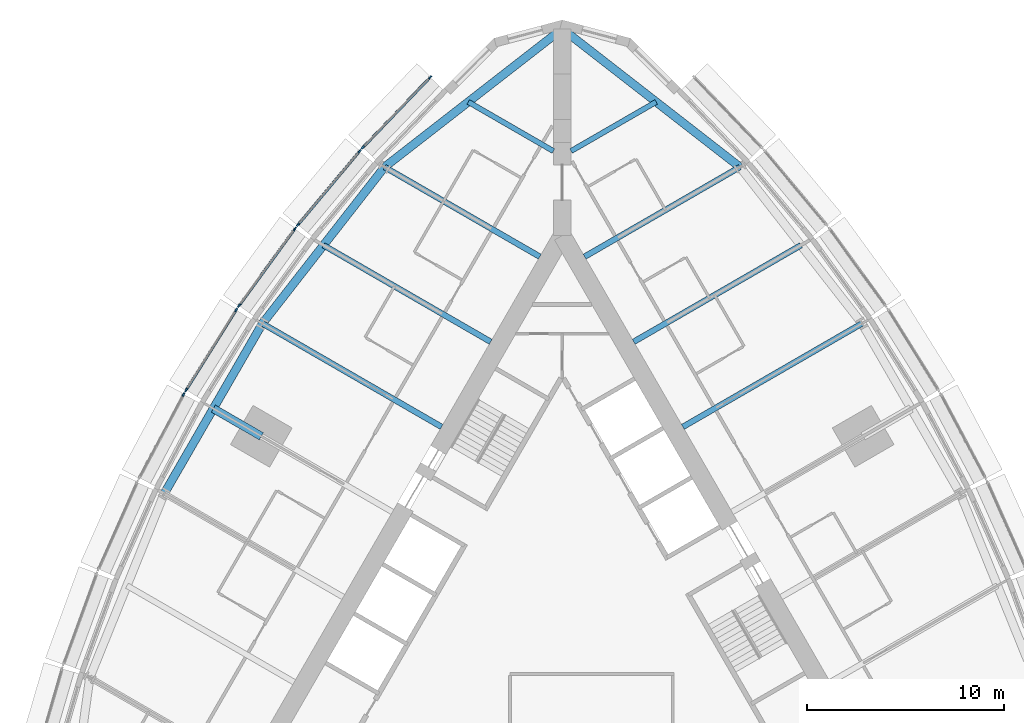
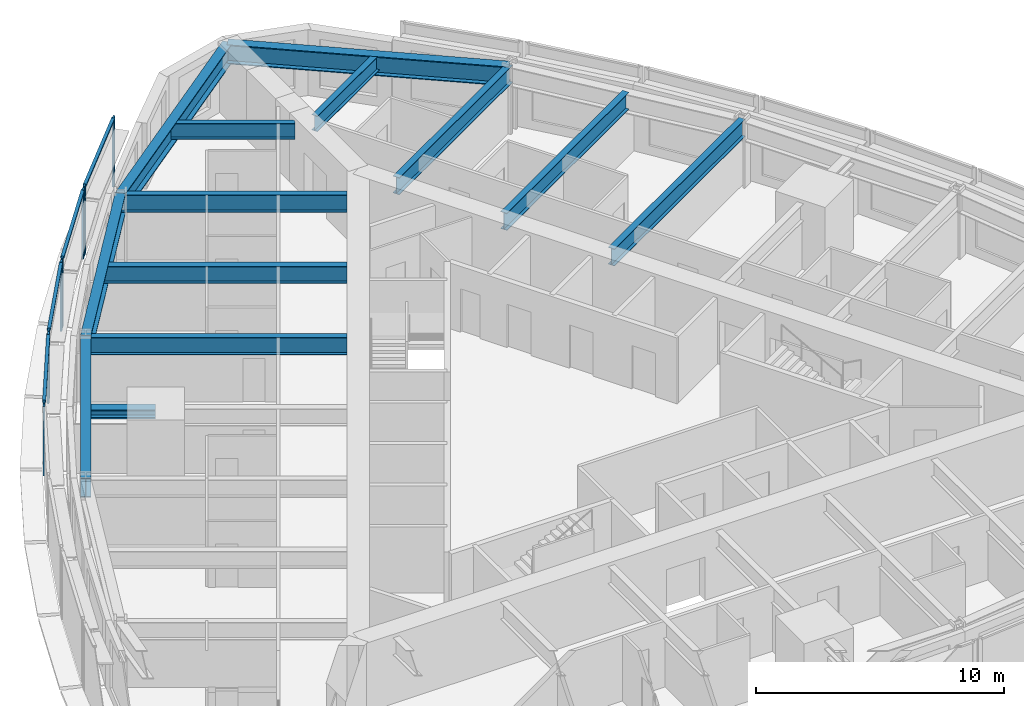
# One storey, part 4 of 14: 13 beams, 13 members, 5 elements without a shape of their own.
"""IFC4 building model written with IfcOpenShell, lengths in metres."""

from ifc_helpers import new_model, si_unit, direction, frame, origin, origin_2d, place, context, subcontext, project, spatial, rectangle, i_section, extrude, material, material_profile, profile_set, type_object, element, aggregate, save


model = new_model("IFC4")

# Units and contexts
model_context = context("Model", 3, precision=1e-05, world=origin(), true_north=direction((0.0, 1.0)))
body_context = subcontext(model_context, "Body", "Model", "MODEL_VIEW")
ifc_project = project(units=[si_unit("LENGTHUNIT", "METRE"), si_unit("AREAUNIT", "SQUARE_METRE"), si_unit("VOLUMEUNIT", "CUBIC_METRE"), si_unit("PLANEANGLEUNIT", "RADIAN"), si_unit("MASSUNIT", "GRAM", prefix="KILO")], contexts=[model_context])

# Site, building, storey
site_placement = place(None, origin())
site = spatial("IfcSite", under=ifc_project, at=site_placement, CompositionType="ELEMENT")
building_placement = place(site_placement, origin())
building = spatial("IfcBuilding", under=site, at=building_placement, Name="Trikona Tower", CompositionType="ELEMENT")
storey_placement = place(building_placement, frame((0.0, 0.0, 145.300048828125)))
storey = spatial("IfcBuildingStorey", under=building, at=storey_placement, Name="L38", CompositionType="ELEMENT", Elevation=145.300048828125)

# Curtain wall, members
ifc_material_1 = material(Name="Aluminium curtain wall system", Category="aluminium")
curtain_wall_type = type_object("IfcCurtainWallType", Name="Curtain wall DS2", PredefinedType="NOTDEFINED", material=ifc_material_1)
curtain_wall_1_placement = place(storey_placement, origin())
curtain_wall_1 = element("IfcCurtainWall", 1, at=curtain_wall_1_placement, inside=storey, type_object=curtain_wall_type, Name="Curtain wall DS2 L38", PredefinedType="NOTDEFINED")
ifc_material_2 = material(Name="Aluminium mullion, pale anodised", Category="aluminium")
ifc_material_profile_1 = material_profile(ifc_material_2, rectangle(XDim=0.080078125, YDim=0.199951171875, at=origin_2d()), Name="MUL-DS2")
ifc_profile_set_1 = profile_set([ifc_material_profile_1], Name="Aluminium mullion, pale anodised")
member_type_1 = type_object("IfcMemberType", Name="Mullion DS2 80x200", PredefinedType="MULLION", material=ifc_profile_set_1)
member_1_placement = place(storey_placement, frame((-6.718994140625, 27.1083984375, 0.0), z_axis=(0.0, 0.0, 1.0), x_axis=(0.722158330767, -0.691727797117, 0.0)))
member_1 = element("IfcMember", 2, at=member_1_placement, type_object=member_type_1, Name="CW-DS2 mullion 1", PredefinedType="MULLION", context=body_context, shape_type="SweptSolid", body=[
    extrude(rectangle(XDim=0.080078125, YDim=0.199951171875, at=origin_2d()), origin(), (0.0, 0.0, 1.0), 3.39990234375),
])
member_2_placement = place(storey_placement, frame((-10.1416015625, 23.535400390625, 0.0), z_axis=(0.0, 0.0, 1.0), x_axis=(0.722158330767, -0.691727797117, 0.0)))
member_2 = element("IfcMember", 3, at=member_2_placement, type_object=member_type_1, Name="CW-DS2 mullion 2", PredefinedType="MULLION", context=body_context, shape_type="SweptSolid", body=[
    extrude(rectangle(XDim=0.080078125, YDim=0.199951171875, at=origin_2d()), origin(), (0.0, 0.0, 1.0), 3.39990234375),
])

curtain_wall_2_placement = place(storey_placement, origin())
curtain_wall_2 = element("IfcCurtainWall", 4, at=curtain_wall_2_placement, inside=storey, type_object=curtain_wall_type, Name="Curtain wall DS2 L38", PredefinedType="NOTDEFINED")
member_3_placement = place(storey_placement, frame((-10.315185546875, 23.34130859375, 0.0), z_axis=(0.0, 0.0, 1.0), x_axis=(0.766866678271, -0.641806433248, 0.0)))
member_3 = element("IfcMember", 5, at=member_3_placement, type_object=member_type_1, Name="CW-DS2 mullion 1", PredefinedType="MULLION", context=body_context, shape_type="SweptSolid", body=[
    extrude(rectangle(XDim=0.080078125, YDim=0.199951171875, at=origin_2d()), origin(), (0.0, 0.0, 1.0), 3.39990234375),
])
member_4_placement = place(storey_placement, frame((-13.44482421875, 19.602294921875, 0.0), z_axis=(0.0, 0.0, 1.0), x_axis=(0.766866678271, -0.641806433248, 0.0)))
member_4 = element("IfcMember", 6, at=member_4_placement, type_object=member_type_1, Name="CW-DS2 mullion 2", PredefinedType="MULLION", context=body_context, shape_type="SweptSolid", body=[
    extrude(rectangle(XDim=0.080078125, YDim=0.199951171875, at=origin_2d()), origin(), (0.0, 0.0, 1.0), 3.39990234375),
])

curtain_wall_3_placement = place(storey_placement, origin())
curtain_wall_3 = element("IfcCurtainWall", 7, at=curtain_wall_3_placement, inside=storey, type_object=curtain_wall_type, Name="Curtain wall DS2 L38", PredefinedType="NOTDEFINED")
member_5_placement = place(storey_placement, frame((-13.605712890625, 19.39599609375, 0.0), z_axis=(0.0, 0.0, 1.0), x_axis=(0.80908576332, -0.587690588313, 0.0)))
member_5 = element("IfcMember", 8, at=member_5_placement, type_object=member_type_1, Name="CW-DS2 mullion 1", PredefinedType="MULLION", context=body_context, shape_type="SweptSolid", body=[
    extrude(rectangle(XDim=0.080078125, YDim=0.199951171875, at=origin_2d()), origin(), (0.0, 0.0, 1.0), 3.39990234375),
])
member_6_placement = place(storey_placement, frame((-16.442626953125, 15.489990234375, 0.0), z_axis=(0.0, 0.0, 1.0), x_axis=(0.80908576332, -0.587690588313, 0.0)))
member_6 = element("IfcMember", 9, at=member_6_placement, type_object=member_type_1, Name="CW-DS2 mullion 2", PredefinedType="MULLION", context=body_context, shape_type="SweptSolid", body=[
    extrude(rectangle(XDim=0.080078125, YDim=0.199951171875, at=origin_2d()), origin(), (0.0, 0.0, 1.0), 3.39990234375),
])

curtain_wall_4_placement = place(storey_placement, origin())
curtain_wall_4 = element("IfcCurtainWall", 10, at=curtain_wall_4_placement, inside=storey, type_object=curtain_wall_type, Name="Curtain wall DS2 L38", PredefinedType="NOTDEFINED")
member_7_placement = place(storey_placement, frame((-16.589599609375, 15.2724609375, 0.0), z_axis=(0.0, 0.0, 1.0), x_axis=(0.847998304006, -0.529998940002, 0.0)))
member_7 = element("IfcMember", 11, at=member_7_placement, type_object=member_type_1, Name="CW-DS2 mullion 1", PredefinedType="MULLION", context=body_context, shape_type="SweptSolid", body=[
    extrude(rectangle(XDim=0.080078125, YDim=0.199951171875, at=origin_2d()), origin(), (0.0, 0.0, 1.0), 3.39990234375),
])
member_8_placement = place(storey_placement, frame((-19.135009765625, 11.199462890625, 0.0), z_axis=(0.0, 0.0, 1.0), x_axis=(0.847998304006, -0.529998940002, 0.0)))
member_8 = element("IfcMember", 12, at=member_8_placement, type_object=member_type_1, Name="CW-DS2 mullion 2", PredefinedType="MULLION", context=body_context, shape_type="SweptSolid", body=[
    extrude(rectangle(XDim=0.080078125, YDim=0.199951171875, at=origin_2d()), origin(), (0.0, 0.0, 1.0), 3.39990234375),
])

# Curtain wall, member
curtain_wall_5_placement = place(storey_placement, origin())
curtain_wall_5 = element("IfcCurtainWall", 13, at=curtain_wall_5_placement, inside=storey, type_object=curtain_wall_type, Name="Curtain wall DS2 L38", PredefinedType="NOTDEFINED")
member_9_placement = place(storey_placement, frame((-19.2666015625, 10.9716796875, 0.0), z_axis=(0.0, 0.0, 1.0), x_axis=(0.882996107343, -0.469380308937, 0.0)))
member_9 = element("IfcMember", 14, at=member_9_placement, type_object=member_type_1, Name="CW-DS2 mullion 1", PredefinedType="MULLION", context=body_context, shape_type="SweptSolid", body=[
    extrude(rectangle(XDim=0.080078125, YDim=0.199951171875, at=origin_2d()), origin(), (0.0, 0.0, 1.0), 3.39990234375),
])
aggregate(curtain_wall_5, [member_9])

# Beams
ifc_material_3 = material(Name="Steel ASTM A992 Grade 50", Category="steel")
ifc_material_profile_2 = material_profile(ifc_material_3, i_section(OverallWidth=0.419189453125, OverallDepth=0.45458984375, WebThickness=0.042236328125, FlangeThickness=0.067626953125, at=origin_2d()), Name="W14X370")
ifc_profile_set_2 = profile_set([ifc_material_profile_2], Name="Steel ASTM A992 Grade 50")
beam_type_1 = type_object("IfcBeamType", Name="Steel beam W14x370 (apex bracket)", PredefinedType="BEAM", material=ifc_profile_set_2)
beam_1_placement = place(storey_placement, frame((-15.311767578125, 8.84033203125, 3.007568359375), z_axis=(-0.86605005072, 0.499957307824, 0.0), x_axis=(-0.499957307824, -0.86605005072, 0.0)))
element("IfcBeam", 15, at=beam_1_placement, inside=storey, type_object=beam_type_1, Name="Cantilever bracket L39 F3", PredefinedType="BEAM", context=body_context, shape_type="SweptSolid", body=[
    extrude(i_section(OverallWidth=0.419189453125, OverallDepth=0.45458984375, WebThickness=0.042236328125, FlangeThickness=0.067626953125, at=origin_2d()), origin(), (0.0, 0.0, 1.0), 2.819580078125),
])
ifc_material_4 = material(Name="Steel ASTM A992 Grade 50", Category="steel")
ifc_material_profile_3 = material_profile(ifc_material_4, i_section(OverallWidth=0.2666015625, OverallDepth=0.76953125, WebThickness=0.015625, FlangeThickness=0.025390625, at=origin_2d()), Name="W30X132")
ifc_profile_set_3 = profile_set([ifc_material_profile_3], Name="Steel ASTM A992 Grade 50")
beam_type_2 = type_object("IfcBeamType", Name="Steel beam W30x132 (wedge)", PredefinedType="BEAM", material=ifc_profile_set_3)
for number, where, z_axis, x_axis, name in (
    (16, (0.449951171875, 23.353759765625, 2.85009765625), (0.866038434829, 0.49997742889, 0.0), (-0.49997742889, 0.866038434829, 0.0), "Floor beam L39 F2 u20"),
    (17, (-0.449951171875, 23.353759765625, 2.85009765625), (-0.866038434829, 0.49997742889, 0.0), (-0.49997742889, -0.866038434829, 0.0), "Floor beam L39 F3 u-20"),
):
    element("IfcBeam", number, at=place(storey_placement, frame(where, z_axis=z_axis, x_axis=x_axis)), inside=storey, type_object=beam_type_2, Name=name, PredefinedType="BEAM", context=body_context, shape_type="SweptSolid", body=[
        extrude(i_section(OverallWidth=0.2666015625, OverallDepth=0.76953125, WebThickness=0.015625, FlangeThickness=0.025390625, at=origin_2d()), origin(), (0.0, 0.0, 1.0), 5.000732421875),
    ])
ifc_material_5 = material(Name="Steel ASTM A992 Grade 50", Category="steel")
ifc_material_profile_4 = material_profile(ifc_material_5, i_section(OverallWidth=0.2919921875, OverallDepth=0.845703125, WebThickness=0.015380859375, FlangeThickness=0.0244140625, at=origin_2d()), Name="W33X141")
ifc_profile_set_4 = profile_set([ifc_material_profile_4], Name="Steel ASTM A992 Grade 50")
beam_type_3 = type_object("IfcBeamType", Name="Steel beam W33x141 (radial typ)", PredefinedType="BEAM", material=ifc_profile_set_4)
beam_2_placement = place(storey_placement, frame((6.1396484375, 9.318359375, 2.81201171875), z_axis=(0.866036080828, 0.499981506362, 0.0), x_axis=(-0.499981506362, 0.866036080828, 0.0)))
element("IfcBeam", 18, at=beam_2_placement, inside=storey, type_object=beam_type_3, Name="Floor beam L39 F2 u5", PredefinedType="BEAM", context=body_context, shape_type="SweptSolid", body=[
    extrude(i_section(OverallWidth=0.2919921875, OverallDepth=0.845703125, WebThickness=0.015380859375, FlangeThickness=0.0244140625, at=origin_2d()), origin(), (0.0, 0.0, 1.0), 10.52392578125),
])
beam_3_placement = place(storey_placement, frame((3.6396484375, 13.6484375, 2.81201171875), z_axis=(0.866030807744, 0.499990639951, 0.0), x_axis=(-0.499990639951, 0.866030807744, 0.0)))
element("IfcBeam", 19, at=beam_3_placement, inside=storey, type_object=beam_type_3, Name="Floor beam L39 F2 u10", PredefinedType="BEAM", context=body_context, shape_type="SweptSolid", body=[
    extrude(i_section(OverallWidth=0.2919921875, OverallDepth=0.845703125, WebThickness=0.015380859375, FlangeThickness=0.0244140625, at=origin_2d()), origin(), (0.0, 0.0, 1.0), 9.823974609375),
])
for number, where, z_axis, x_axis, name in (
    (20, (1.1396484375, 17.978515625, 2.81201171875), (0.866024725532, 0.500001174766, 0.0), (-0.500001174766, 0.866024725532, 0.0), "Floor beam L39 F2 u15"),
    (21, (-1.1396484375, 17.978515625, 2.81201171875), (-0.866024725532, 0.500001174766, 0.0), (-0.500001174766, -0.866024725532, 0.0), "Floor beam L39 F3 u-15"),
):
    element("IfcBeam", number, at=place(storey_placement, frame(where, z_axis=z_axis, x_axis=x_axis)), inside=storey, type_object=beam_type_3, Name=name, PredefinedType="BEAM", context=body_context, shape_type="SweptSolid", body=[
        extrude(i_section(OverallWidth=0.2919921875, OverallDepth=0.845703125, WebThickness=0.015380859375, FlangeThickness=0.0244140625, at=origin_2d()), origin(), (0.0, 0.0, 1.0), 9.1240234375),
    ])
beam_4_placement = place(storey_placement, frame((-3.6396484375, 13.6484375, 2.81201171875), z_axis=(-0.866030807744, 0.499990639951, 0.0), x_axis=(-0.499990639951, -0.866030807744, 0.0)))
element("IfcBeam", 22, at=beam_4_placement, inside=storey, type_object=beam_type_3, Name="Floor beam L39 F3 u-10", PredefinedType="BEAM", context=body_context, shape_type="SweptSolid", body=[
    extrude(i_section(OverallWidth=0.2919921875, OverallDepth=0.845703125, WebThickness=0.015380859375, FlangeThickness=0.0244140625, at=origin_2d()), origin(), (0.0, 0.0, 1.0), 9.823974609375),
])
beam_5_placement = place(storey_placement, frame((-6.1396484375, 9.318359375, 2.81201171875), z_axis=(-0.866036080828, 0.499981506362, 0.0), x_axis=(-0.499981506362, -0.866036080828, 0.0)))
element("IfcBeam", 23, at=beam_5_placement, inside=storey, type_object=beam_type_3, Name="Floor beam L39 F3 u-5", PredefinedType="BEAM", context=body_context, shape_type="SweptSolid", body=[
    extrude(i_section(OverallWidth=0.2919921875, OverallDepth=0.845703125, WebThickness=0.015380859375, FlangeThickness=0.0244140625, at=origin_2d()), origin(), (0.0, 0.0, 1.0), 10.52392578125),
])
ifc_material_6 = material(Name="Steel ASTM A992 Grade 50", Category="steel")
ifc_material_profile_5 = material_profile(ifc_material_6, i_section(OverallWidth=0.424072265625, OverallDepth=0.947509765625, WebThickness=0.02392578125, FlangeThickness=0.042724609375, at=origin_2d()), Name="W36X302")
ifc_profile_set_5 = profile_set([ifc_material_profile_5], Name="Steel ASTM A992 Grade 50")
beam_type_4 = type_object("IfcBeamType", Name="Steel beam W36x302 (spandrel)", PredefinedType="SPANDREL", material=ifc_profile_set_5)
for number, where, z_axis, x_axis, name in (
    (24, (9.041259765625, 22.54052734375, 2.76123046875), (-0.789367137808, 0.613921429621, 0.0), (-0.613921429621, -0.789367137808, 0.0), "Spandrel beam L39 F2-5"),
    (25, (0.0, 29.572265625, 2.76123046875), (-0.789367137808, -0.613921429621, 0.0), (0.613921429621, -0.789367137808, 0.0), "Spandrel beam L39 F3-1"),
):
    element("IfcBeam", number, at=place(storey_placement, frame(where, z_axis=z_axis, x_axis=x_axis)), inside=storey, type_object=beam_type_4, Name=name, PredefinedType="SPANDREL", context=body_context, shape_type="SweptSolid", body=[
        extrude(i_section(OverallWidth=0.424072265625, OverallDepth=0.947509765625, WebThickness=0.02392578125, FlangeThickness=0.042724609375, at=origin_2d()), origin(), (0.0, 0.0, 1.0), 11.453857421875),
    ])
beam_6_placement = place(storey_placement, frame((-9.041259765625, 22.54052734375, 2.76123046875), z_axis=(-0.615232009054, -0.788346101046, 0.0), x_axis=(0.788346101046, -0.615232009054, 0.0)))
element("IfcBeam", 26, at=beam_6_placement, inside=storey, type_object=beam_type_4, Name="Spandrel beam L39 F3-2", PredefinedType="SPANDREL", context=body_context, shape_type="SweptSolid", body=[
    extrude(i_section(OverallWidth=0.424072265625, OverallDepth=0.947509765625, WebThickness=0.02392578125, FlangeThickness=0.042724609375, at=origin_2d()), origin(), (0.0, 0.0, 1.0), 10.09765625),
])
beam_7_placement = place(storey_placement, frame((-15.253662109375, 14.580078125, 2.76123046875), z_axis=(-0.500004234368, -0.866022959057, 0.0), x_axis=(0.866022959057, -0.500004234368, 0.0)))
element("IfcBeam", 27, at=beam_7_placement, inside=storey, type_object=beam_type_4, Name="Spandrel beam L39 F3-3", PredefinedType="SPANDREL", context=body_context, shape_type="SweptSolid", body=[
    extrude(i_section(OverallWidth=0.424072265625, OverallDepth=0.947509765625, WebThickness=0.02392578125, FlangeThickness=0.042724609375, at=origin_2d()), origin(), (0.0, 0.0, 1.0), 10.0),
])

# Member
ifc_material_7 = material(Name="Aluminium transom, pale anodised", Category="aluminium")
ifc_material_profile_6 = material_profile(ifc_material_7, rectangle(XDim=0.139892578125, YDim=0.080078125, at=origin_2d()), Name="TRN-DS2")
ifc_profile_set_6 = profile_set([ifc_material_profile_6], Name="Aluminium transom, pale anodised")
member_type_2 = type_object("IfcMemberType", Name="Transom DS2 80x140", PredefinedType="USERDEFINED", material=ifc_profile_set_6)
member_10_placement = place(storey_placement, frame((-6.746826171875, 27.07958984375, 3.35986328125), z_axis=(-0.691721246785, -0.722164605022, 0.0), x_axis=(0.722164605022, -0.691721246785, 0.0)))
member_10 = element("IfcMember", 28, at=member_10_placement, type_object=member_type_2, Name="CW-DS2 transom 1.1", ObjectType="TRANSOM", PredefinedType="USERDEFINED", context=body_context, shape_type="SweptSolid", body=[
    extrude(rectangle(XDim=0.139892578125, YDim=0.080078125, at=origin_2d()), origin(), (0.0, 0.0, 1.0), 4.867919921875),
])

aggregate(curtain_wall_1, [member_1, member_2, member_10])

member_11_placement = place(storey_placement, frame((-10.341064453125, 23.310791015625, 3.35986328125), z_axis=(-0.641770294892, -0.766896921753, 0.0), x_axis=(0.766896921753, -0.641770294892, 0.0)))
member_11 = element("IfcMember", 29, at=member_11_placement, type_object=member_type_2, Name="CW-DS2 transom 1.1", ObjectType="TRANSOM", PredefinedType="USERDEFINED", context=body_context, shape_type="SweptSolid", body=[
    extrude(rectangle(XDim=0.139892578125, YDim=0.080078125, at=origin_2d()), origin(), (0.0, 0.0, 1.0), 4.7958984375),
])

aggregate(curtain_wall_2, [member_3, member_4, member_11])

member_12_placement = place(storey_placement, frame((-13.629150390625, 19.363525390625, 3.35986328125), z_axis=(-0.587694585883, -0.809082859616, 0.0), x_axis=(0.809082859616, -0.587694585883, 0.0)))
member_12 = element("IfcMember", 30, at=member_12_placement, type_object=member_type_2, Name="CW-DS2 transom 1.1", ObjectType="TRANSOM", PredefinedType="USERDEFINED", context=body_context, shape_type="SweptSolid", body=[
    extrude(rectangle(XDim=0.139892578125, YDim=0.080078125, at=origin_2d()), origin(), (0.0, 0.0, 1.0), 4.747314453125),
])

aggregate(curtain_wall_3, [member_5, member_6, member_12])

member_13_placement = place(storey_placement, frame((-16.610595703125, 15.238525390625, 3.35986328125), z_axis=(-0.530031463794, -0.847977975769, 0.0), x_axis=(0.847977975769, -0.530031463794, 0.0)))
member_13 = element("IfcMember", 31, at=member_13_placement, type_object=member_type_2, Name="CW-DS2 transom 1.1", ObjectType="TRANSOM", PredefinedType="USERDEFINED", context=body_context, shape_type="SweptSolid", body=[
    extrude(rectangle(XDim=0.139892578125, YDim=0.080078125, at=origin_2d()), origin(), (0.0, 0.0, 1.0), 4.72314453125),
])

aggregate(curtain_wall_4, [member_7, member_8, member_13])

save(model, "model.ifc")
